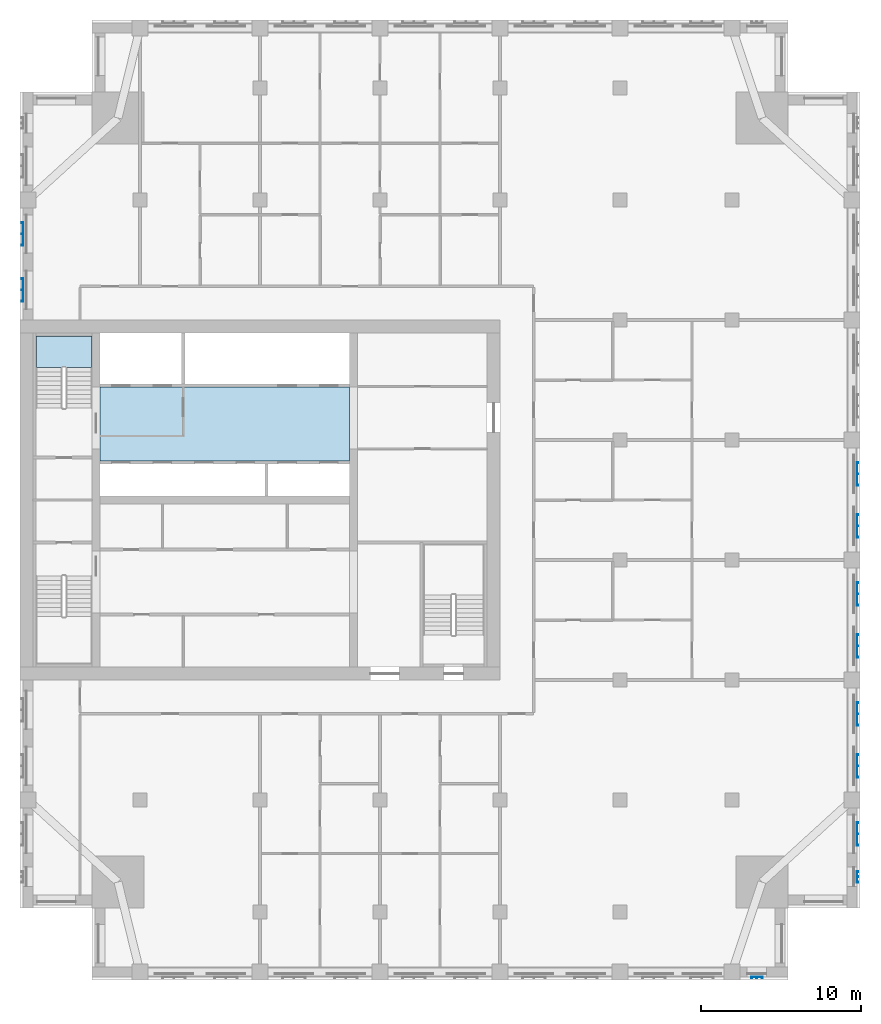
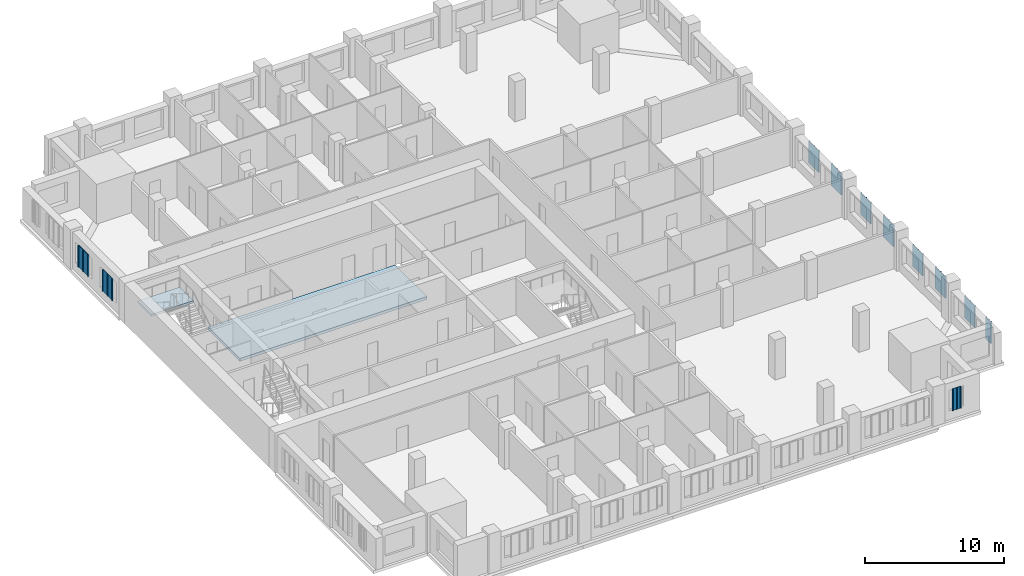
# One storey, part 4 of 14: 11 plates, 2 slabs, 1 element without a shape of its own.
"""IFC4 building model written with IfcOpenShell, lengths in metres."""

from ifc_helpers import new_model, si_unit, direction, frame, origin, place, context, subcontext, project, spatial, polyline, outline, extrude, material, layer, layer_set, type_object, element, aggregate, save


model = new_model("IFC4")

# Units and contexts
model_context = context("Model", 3, precision=1e-05, world=origin(), true_north=direction((0.0, 1.0)))
body_context = subcontext(model_context, "Body", "Model", "MODEL_VIEW")
ifc_project = project(units=[si_unit("LENGTHUNIT", "METRE"), si_unit("AREAUNIT", "SQUARE_METRE"), si_unit("VOLUMEUNIT", "CUBIC_METRE"), si_unit("PLANEANGLEUNIT", "RADIAN"), si_unit("MASSUNIT", "GRAM", prefix="KILO")], contexts=[model_context])

# Site, building, storey
site_placement = place(None, origin())
site = spatial("IfcSite", under=ifc_project, at=site_placement, CompositionType="ELEMENT")
building_placement = place(site_placement, origin())
building = spatial("IfcBuilding", under=site, at=building_placement, Name="Tamorin Gate", CompositionType="ELEMENT")
storey_placement = place(building_placement, frame((0.0, 0.0, 203.699951171875)))
storey = spatial("IfcBuildingStorey", under=building, at=storey_placement, Name="L50", CompositionType="ELEMENT", Elevation=203.699951171875)

# Slab
ifc_material_1 = material(Name="Concrete C40/50", Category="concrete")
ifc_layer_1 = layer(ifc_material_1, 0.25)
ifc_layer_set_1 = layer_set([ifc_layer_1], Name="Core floor slab 250 C40/50")
slab_type_1 = type_object("IfcSlabType", Name="Core floor slab 250 C40/50", PredefinedType="FLOOR", material=ifc_layer_set_1)
slab_1_placement = place(storey_placement, frame((0.0, 0.0, -0.25)))
element("IfcSlab", 1, at=slab_1_placement, inside=storey, type_object=slab_type_1, Name="Core floor L50", PredefinedType="FLOOR", context=body_context, shape_type="SweptSolid", body=[
    extrude(outline(polyline([(50.60009765625, 73.699951171875), (35.0, 73.699951171875), (35.0, 78.300048828125), (50.60009765625, 78.300048828125), (50.60009765625, 73.699951171875)])), origin(), (0.0, 0.0, 1.0), 0.25),
])

# Stair, slab
stair_type = type_object("IfcStairType", Name="Exit stair", PredefinedType="HALF_TURN_STAIR", material=ifc_material_1)
stair_placement = place(storey_placement, origin())
stair = element("IfcStair", 2, at=stair_placement, inside=storey, type_object=stair_type, Name="L50 stair ST2", PredefinedType="HALF_TURN_STAIR")
ifc_layer_2 = layer(ifc_material_1, 0.199951171875)
ifc_layer_set_2 = layer_set([ifc_layer_2], Name="Exit stair landing 200")
slab_type_2 = type_object("IfcSlabType", Name="Exit stair landing 200", PredefinedType="LANDING", material=ifc_layer_set_2)
slab_2_placement = place(storey_placement, frame((0.0, 0.0, 1.550048828125)))
slab_2 = element("IfcSlab", 3, at=slab_2_placement, type_object=slab_type_2, Name="ST2 landing 1", PredefinedType="LANDING", context=body_context, shape_type="SweptSolid", body=[
    extrude(outline(polyline([(34.5, 79.52001953125), (34.5, 81.5), (31.0, 81.5), (31.0, 79.52001953125), (34.5, 79.52001953125)])), origin(), (0.0, 0.0, 1.0), 0.199951171875),
])
aggregate(stair, [slab_2])

# Plates
ifc_material_2 = material(Name="Perforated pale aluminium sheet", Category="aluminium")
ifc_layer_3 = layer(ifc_material_2, 0.0400390625)
ifc_layer_set_3 = layer_set([ifc_layer_3], Name="Pale metal solar screen 1440")
plate_type_1 = type_object("IfcPlateType", Name="Pale metal solar screen 1440", PredefinedType="SHEET", material=ifc_layer_set_3)
plate_1_placement = place(storey_placement, frame((0.0, 0.0, 0.737548828125)))
element("IfcPlate", 4, at=plate_1_placement, inside=storey, type_object=plate_type_1, Name="Perforated solar screen", PredefinedType="SHEET", context=body_context, shape_type="SweptSolid", body=[
    extrude(outline(polyline([(82.340087890625, 49.655029296875), (82.300048828125, 49.655029296875), (82.300048828125, 49.715087890625), (82.300048828125, 50.344970703125), (82.300048828125, 50.405029296875), (82.300048828125, 51.034912109375), (82.300048828125, 51.094970703125), (82.300048828125, 51.094970703125), (82.340087890625, 51.094970703125), (82.340087890625, 51.094970703125), (82.39990234375, 51.094970703125), (82.39990234375, 51.034912109375), (82.340087890625, 51.034912109375), (82.340087890625, 50.405029296875), (82.39990234375, 50.405029296875), (82.39990234375, 50.344970703125), (82.340087890625, 50.344970703125), (82.340087890625, 49.715087890625), (82.39990234375, 49.715087890625), (82.39990234375, 49.655029296875), (82.340087890625, 49.655029296875)])), origin(), (0.0, 0.0, 1.0), 1.925048828125),
])
plate_2_placement = place(storey_placement, frame((0.0, 0.0, 0.737548828125)))
element("IfcPlate", 5, at=plate_2_placement, inside=storey, type_object=plate_type_1, Name="Perforated solar screen", PredefinedType="SHEET", context=body_context, shape_type="SweptSolid", body=[
    extrude(outline(polyline([(82.340087890625, 53.905029296875), (82.300048828125, 53.905029296875), (82.300048828125, 53.965087890625), (82.300048828125, 54.594970703125), (82.300048828125, 54.655029296875), (82.300048828125, 55.284912109375), (82.300048828125, 55.344970703125), (82.340087890625, 55.344970703125), (82.39990234375, 55.344970703125), (82.39990234375, 55.284912109375), (82.340087890625, 55.284912109375), (82.340087890625, 54.655029296875), (82.39990234375, 54.655029296875), (82.39990234375, 54.594970703125), (82.340087890625, 54.594970703125), (82.340087890625, 53.965087890625), (82.39990234375, 53.965087890625), (82.39990234375, 53.905029296875), (82.340087890625, 53.905029296875)])), origin(), (0.0, 0.0, 1.0), 1.925048828125),
])
plate_3_placement = place(storey_placement, frame((0.0, 0.0, 0.737548828125)))
element("IfcPlate", 6, at=plate_3_placement, inside=storey, type_object=plate_type_1, Name="Perforated solar screen", PredefinedType="SHEET", context=body_context, shape_type="SweptSolid", body=[
    extrude(outline(polyline([(82.340087890625, 57.155029296875), (82.300048828125, 57.155029296875), (82.300048828125, 57.215087890625), (82.300048828125, 57.844970703125), (82.300048828125, 57.905029296875), (82.300048828125, 58.534912109375), (82.300048828125, 58.594970703125), (82.340087890625, 58.594970703125), (82.39990234375, 58.594970703125), (82.39990234375, 58.534912109375), (82.340087890625, 58.534912109375), (82.340087890625, 57.905029296875), (82.39990234375, 57.905029296875), (82.39990234375, 57.844970703125), (82.340087890625, 57.844970703125), (82.340087890625, 57.215087890625), (82.39990234375, 57.215087890625), (82.39990234375, 57.155029296875), (82.340087890625, 57.155029296875)])), origin(), (0.0, 0.0, 1.0), 1.925048828125),
])
plate_4_placement = place(storey_placement, frame((0.0, 0.0, 0.737548828125)))
element("IfcPlate", 7, at=plate_4_placement, inside=storey, type_object=plate_type_1, Name="Perforated solar screen", PredefinedType="SHEET", context=body_context, shape_type="SweptSolid", body=[
    extrude(outline(polyline([(82.340087890625, 61.405029296875), (82.300048828125, 61.405029296875), (82.300048828125, 61.465087890625), (82.300048828125, 62.094970703125), (82.300048828125, 62.155029296875), (82.300048828125, 62.784912109375), (82.300048828125, 62.844970703125), (82.340087890625, 62.844970703125), (82.39990234375, 62.844970703125), (82.39990234375, 62.784912109375), (82.340087890625, 62.784912109375), (82.340087890625, 62.155029296875), (82.39990234375, 62.155029296875), (82.39990234375, 62.094970703125), (82.340087890625, 62.094970703125), (82.340087890625, 61.465087890625), (82.39990234375, 61.465087890625), (82.39990234375, 61.405029296875), (82.340087890625, 61.405029296875)])), origin(), (0.0, 0.0, 1.0), 1.925048828125),
])
plate_5_placement = place(storey_placement, frame((0.0, 0.0, 0.737548828125)))
element("IfcPlate", 8, at=plate_5_placement, inside=storey, type_object=plate_type_1, Name="Perforated solar screen", PredefinedType="SHEET", context=body_context, shape_type="SweptSolid", body=[
    extrude(outline(polyline([(82.340087890625, 64.655029296875), (82.300048828125, 64.655029296875), (82.300048828125, 64.715087890625), (82.300048828125, 65.344970703125), (82.300048828125, 65.405029296875), (82.300048828125, 66.034912109375), (82.300048828125, 66.094970703125), (82.340087890625, 66.094970703125), (82.39990234375, 66.094970703125), (82.39990234375, 66.034912109375), (82.340087890625, 66.034912109375), (82.340087890625, 65.405029296875), (82.39990234375, 65.405029296875), (82.39990234375, 65.344970703125), (82.340087890625, 65.344970703125), (82.340087890625, 64.715087890625), (82.39990234375, 64.715087890625), (82.39990234375, 64.655029296875), (82.340087890625, 64.655029296875)])), origin(), (0.0, 0.0, 1.0), 1.925048828125),
])
plate_6_placement = place(storey_placement, frame((0.0, 0.0, 0.737548828125)))
element("IfcPlate", 9, at=plate_6_placement, inside=storey, type_object=plate_type_1, Name="Perforated solar screen", PredefinedType="SHEET", context=body_context, shape_type="SweptSolid", body=[
    extrude(outline(polyline([(82.340087890625, 68.905029296875), (82.300048828125, 68.905029296875), (82.300048828125, 68.965087890625), (82.300048828125, 69.594970703125), (82.300048828125, 69.655029296875), (82.300048828125, 70.284912109375), (82.300048828125, 70.344970703125), (82.340087890625, 70.344970703125), (82.39990234375, 70.344970703125), (82.39990234375, 70.284912109375), (82.340087890625, 70.284912109375), (82.340087890625, 69.655029296875), (82.39990234375, 69.655029296875), (82.39990234375, 69.594970703125), (82.340087890625, 69.594970703125), (82.340087890625, 68.965087890625), (82.39990234375, 68.965087890625), (82.39990234375, 68.905029296875), (82.340087890625, 68.905029296875)])), origin(), (0.0, 0.0, 1.0), 1.925048828125),
])
plate_7_placement = place(storey_placement, frame((0.0, 0.0, 0.737548828125)))
element("IfcPlate", 10, at=plate_7_placement, inside=storey, type_object=plate_type_1, Name="Perforated solar screen", PredefinedType="SHEET", context=body_context, shape_type="SweptSolid", body=[
    extrude(outline(polyline([(82.340087890625, 72.155029296875), (82.300048828125, 72.155029296875), (82.300048828125, 72.215087890625), (82.300048828125, 72.844970703125), (82.300048828125, 72.905029296875), (82.300048828125, 73.534912109375), (82.300048828125, 73.594970703125), (82.340087890625, 73.594970703125), (82.39990234375, 73.594970703125), (82.39990234375, 73.534912109375), (82.340087890625, 73.534912109375), (82.340087890625, 72.905029296875), (82.39990234375, 72.905029296875), (82.39990234375, 72.844970703125), (82.340087890625, 72.844970703125), (82.340087890625, 72.215087890625), (82.39990234375, 72.215087890625), (82.39990234375, 72.155029296875), (82.340087890625, 72.155029296875)])), origin(), (0.0, 0.0, 1.0), 1.925048828125),
])
plate_8_placement = place(storey_placement, frame((0.0, 0.0, 0.737548828125)))
element("IfcPlate", 11, at=plate_8_placement, inside=storey, type_object=plate_type_1, Name="Perforated solar screen", PredefinedType="SHEET", context=body_context, shape_type="SweptSolid", body=[
    extrude(outline(polyline([(30.159912109375, 85.094970703125), (30.199951171875, 85.094970703125), (30.199951171875, 85.034912109375), (30.199951171875, 84.405029296875), (30.199951171875, 84.344970703125), (30.199951171875, 83.715087890625), (30.199951171875, 83.655029296875), (30.159912109375, 83.655029296875), (30.10009765625, 83.655029296875), (30.10009765625, 83.715087890625), (30.159912109375, 83.715087890625), (30.159912109375, 84.344970703125), (30.10009765625, 84.344970703125), (30.10009765625, 84.405029296875), (30.159912109375, 84.405029296875), (30.159912109375, 85.034912109375), (30.10009765625, 85.034912109375), (30.10009765625, 85.094970703125), (30.159912109375, 85.094970703125)])), origin(), (0.0, 0.0, 1.0), 1.925048828125),
])
plate_9_placement = place(storey_placement, frame((0.0, 0.0, 0.737548828125)))
element("IfcPlate", 12, at=plate_9_placement, inside=storey, type_object=plate_type_1, Name="Perforated solar screen", PredefinedType="SHEET", context=body_context, shape_type="SweptSolid", body=[
    extrude(outline(polyline([(30.159912109375, 88.594970703125), (30.199951171875, 88.594970703125), (30.199951171875, 88.534912109375), (30.199951171875, 87.905029296875), (30.199951171875, 87.844970703125), (30.199951171875, 87.215087890625), (30.199951171875, 87.155029296875), (30.159912109375, 87.155029296875), (30.10009765625, 87.155029296875), (30.10009765625, 87.215087890625), (30.159912109375, 87.215087890625), (30.159912109375, 87.844970703125), (30.10009765625, 87.844970703125), (30.10009765625, 87.905029296875), (30.159912109375, 87.905029296875), (30.159912109375, 88.534912109375), (30.10009765625, 88.534912109375), (30.10009765625, 88.594970703125), (30.159912109375, 88.594970703125)])), origin(), (0.0, 0.0, 1.0), 1.925048828125),
])
ifc_layer_4 = layer(ifc_material_2, 0.0400390625)
ifc_layer_set_4 = layer_set([ifc_layer_4], Name="Pale metal solar screen 720")
plate_type_2 = type_object("IfcPlateType", Name="Pale metal solar screen 720", PredefinedType="SHEET", material=ifc_layer_set_4)
plate_10_placement = place(storey_placement, frame((0.0, 0.0, 0.737548828125)))
element("IfcPlate", 13, at=plate_10_placement, inside=storey, type_object=plate_type_2, Name="Perforated solar screen", PredefinedType="SHEET", context=body_context, shape_type="SweptSolid", body=[
    extrude(outline(polyline([(75.68994140625, 41.409912109375), (75.68994140625, 41.449951171875), (75.75, 41.449951171875), (76.02001953125, 41.449951171875), (76.080078125, 41.449951171875), (76.35009765625, 41.449951171875), (76.409912109375, 41.449951171875), (76.409912109375, 41.409912109375), (76.409912109375, 41.35009765625), (76.35009765625, 41.35009765625), (76.35009765625, 41.409912109375), (76.080078125, 41.409912109375), (76.080078125, 41.35009765625), (76.02001953125, 41.35009765625), (76.02001953125, 41.409912109375), (75.75, 41.409912109375), (75.75, 41.35009765625), (75.68994140625, 41.35009765625), (75.68994140625, 41.409912109375)])), origin(), (0.0, 0.0, 1.0), 1.925048828125),
])
plate_11_placement = place(storey_placement, frame((0.0, 0.0, 0.737548828125)))
element("IfcPlate", 14, at=plate_11_placement, inside=storey, type_object=plate_type_2, Name="Perforated solar screen", PredefinedType="SHEET", context=body_context, shape_type="SweptSolid", body=[
    extrude(outline(polyline([(82.340087890625, 47.340087890625), (82.300048828125, 47.340087890625), (82.300048828125, 47.39990234375), (82.300048828125, 47.669921875), (82.300048828125, 47.72998046875), (82.300048828125, 48.0), (82.300048828125, 48.06005859375), (82.340087890625, 48.06005859375), (82.39990234375, 48.06005859375), (82.39990234375, 48.0), (82.340087890625, 48.0), (82.340087890625, 47.72998046875), (82.39990234375, 47.72998046875), (82.39990234375, 47.669921875), (82.340087890625, 47.669921875), (82.340087890625, 47.39990234375), (82.39990234375, 47.39990234375), (82.39990234375, 47.340087890625), (82.340087890625, 47.340087890625)])), origin(), (0.0, 0.0, 1.0), 1.925048828125),
])

save(model, "model.ifc")
